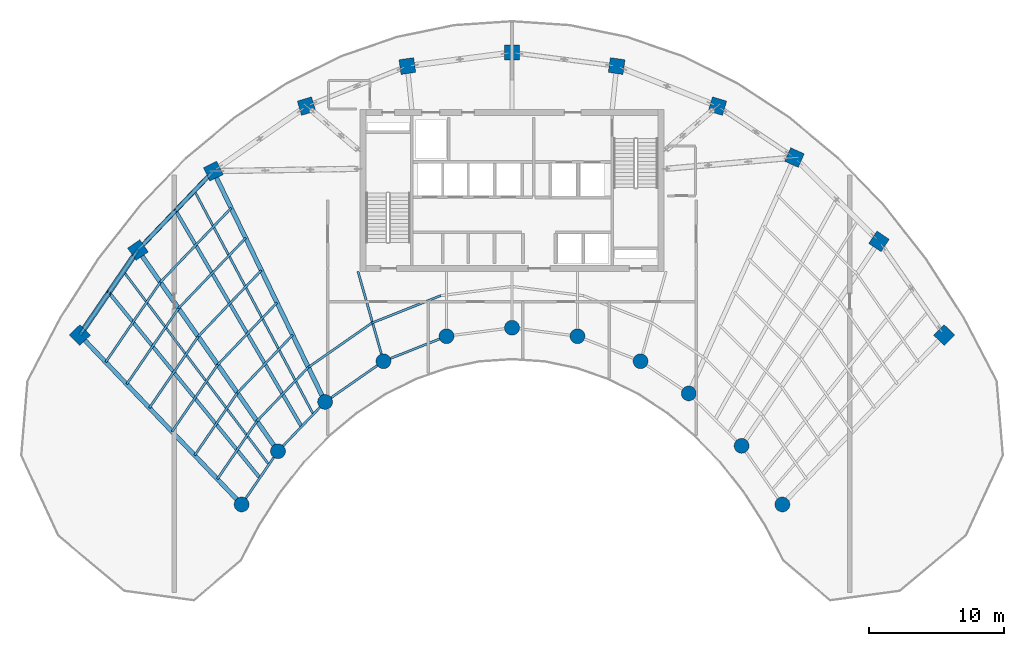
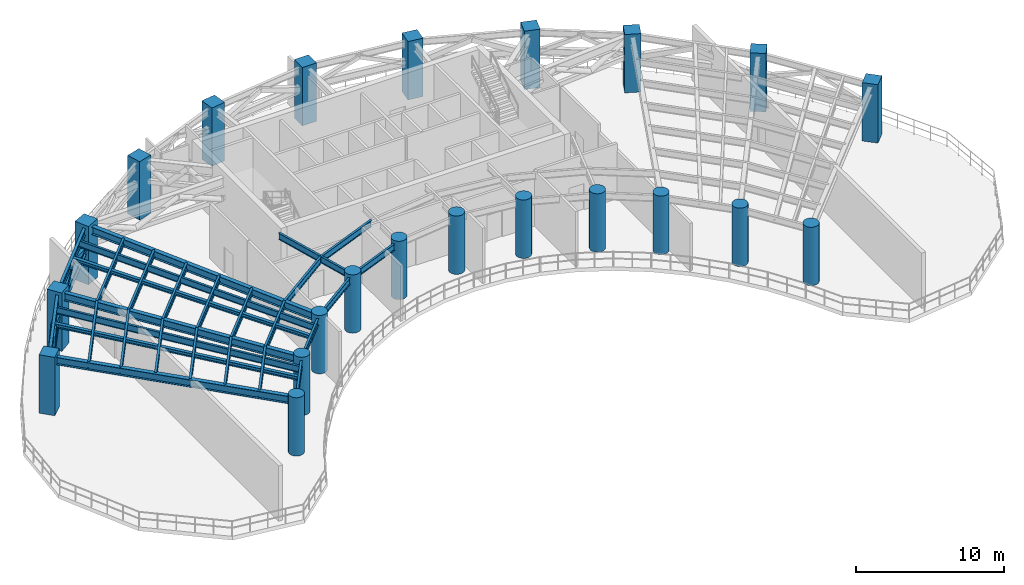
# One storey, part 1 of 19: 30 beams, 22 columns, 4 members.
"""IFC4 building model written with IfcOpenShell, lengths in metres."""

from ifc_helpers import new_model, si_unit, direction, frame, origin, origin_2d, place, context, subcontext, project, spatial, rectangle, hollow_rectangle, circle, i_section, extrude, source, transform, mapped, material, material_profile, profile_set, type_object, type_shapes, element, save


model = new_model("IFC4")

# Units and contexts
model_context = context("Model", 3, precision=1e-05, world=origin(), true_north=direction((0.0, 1.0)))
body_context = subcontext(model_context, "Body", "Model", "MODEL_VIEW")
ifc_project = project(units=[si_unit("LENGTHUNIT", "METRE"), si_unit("AREAUNIT", "SQUARE_METRE"), si_unit("VOLUMEUNIT", "CUBIC_METRE"), si_unit("PLANEANGLEUNIT", "RADIAN"), si_unit("MASSUNIT", "GRAM", prefix="KILO")], contexts=[model_context])

# Site, building, storey
site_placement = place(None, origin())
site = spatial("IfcSite", under=ifc_project, at=site_placement, CompositionType="ELEMENT")
building_placement = place(site_placement, origin())
building = spatial("IfcBuilding", under=site, at=building_placement, Name="Breltana Convention Tower", CompositionType="ELEMENT")
storey_placement = place(building_placement, frame((0.0, 0.0, 194.39990234375)))
storey = spatial("IfcBuildingStorey", under=building, at=storey_placement, Name="L47", CompositionType="ELEMENT", Elevation=194.39990234375)

# Columns
ifc_material_1 = material(Name="Concrete C60/75", Category="concrete")
ifc_material_profile_1 = material_profile(ifc_material_1, rectangle(XDim=1.10009765625, YDim=1.10009765625, at=origin_2d()), Name="RC-COL-1100X1100")
ifc_profile_set_1 = profile_set([ifc_material_profile_1], Name="Concrete C60/75")
column_type_1 = type_object("IfcColumnType", Name="COL-RC-1100", PredefinedType="COLUMN", material=ifc_profile_set_1)
shared_shape_1 = source(origin(), body_context, "Body", "SweptSolid", [
    extrude(rectangle(XDim=1.10009765625, YDim=1.10009765625, at=origin_2d()), origin(), (0.0, 0.0, 1.0), 4.800048828125),
])
for number, where, z_axis, x_axis, name in (
    (1, (16.0068359375, 55.494384765625, 0.0), (0.0, 0.0, 1.0), (-0.690756218984, 0.723087716626, 0.0), "L47 Tower Column R01-OUT"),
    (2, (20.310791015625, 61.78857421875, 0.0), (0.0, 0.0, 1.0), (-0.571143442153, 0.820850271661, 0.0), "L47 Tower Column R02-OUT"),
    (3, (25.8876953125, 67.626953125, 0.0), (0.0, 0.0, 1.0), (-0.436173672171, 0.899862504889, 0.0), "L47 Tower Column R03-OUT"),
    (4, (32.791015625, 72.4423828125, 0.0), (0.0, 0.0, 1.0), (-0.288697611798, 0.957420330337, 0.0), "L47 Tower Column R04-OUT"),
    (5, (40.253173828125, 75.404296875, 0.0), (0.0, 0.0, 1.0), (-0.143492621991, 0.98965138682, 0.0), "L47 Tower Column R05-OUT"),
    (6, (48.0, 76.404052734375, 0.0), (0.0, 0.0, 1.0), (0.0, 1.0, 0.0), "L47 Tower Column R06-OUT"),
    (7, (55.746826171875, 75.404296875, 0.0), (0.0, 0.0, 1.0), (0.143492621991, 0.98965138682, 0.0), "L47 Tower Column R07-OUT"),
    (8, (63.208984375, 72.4423828125, 0.0), (0.0, 0.0, 1.0), (0.288697611798, 0.957420330337, 0.0), "L47 Tower Column R08-OUT"),
    (9, (68.910400390625, 68.63330078125, 0.0), (0.0, 0.0, 1.0), (0.409126902895, 0.912477494148, 0.0), "L47 Tower Column R09-OUT"),
    (10, (75.166748046875, 62.43017578125, 0.0), (0.0, 0.0, 1.0), (0.55774510898, 0.830012285095, 0.0), "L47 Tower Column R10-OUT"),
    (11, (79.9931640625, 55.494384765625, 0.0), (0.0, 0.0, 1.0), (0.690756218984, 0.723087716626, 0.0), "L47 Tower Column R11-OUT"),
):
    element("IfcColumn", number, at=place(storey_placement, frame(where, z_axis=z_axis, x_axis=x_axis)), inside=storey, type_object=column_type_1, Name=name, PredefinedType="COLUMN", context=body_context, shape_type="MappedRepresentation", body=[
        mapped(shared_shape_1, transform((0.0, 0.0, 0.0), scale=1.0)),
    ])
ifc_material_2 = material(Name="Concrete C50/60", Category="concrete")
ifc_material_profile_2 = material_profile(ifc_material_2, circle(Radius=0.550048828125, at=origin_2d()), Name="RC-COL-D1100")
ifc_profile_set_2 = profile_set([ifc_material_profile_2], Name="Concrete C50/60")
column_type_2 = type_object("IfcColumnType", Name="COL-RC-D1100", PredefinedType="COLUMN", material=ifc_profile_set_2)
shared_shape_2 = source(origin(), body_context, "Body", "SweptSolid", [
    extrude(circle(Radius=0.550048828125, at=origin_2d()), origin(), (0.0, 0.0, 1.0), 4.800048828125),
])
for number, where, z_axis, x_axis, name in (
    (12, (27.984619140625, 42.95458984375, 0.0), (0.0, 0.0, 1.0), (-0.690756218984, 0.723087716626, 0.0), "L47 Tower Column R01-IN"),
    (13, (30.67724609375, 46.892333984375, 0.0), (0.0, 0.0, 1.0), (-0.571143442153, 0.820850271661, 0.0), "L47 Tower Column R02-IN"),
    (14, (34.166259765625, 50.544921875, 0.0), (0.0, 0.0, 1.0), (-0.436173672171, 0.899862504889, 0.0), "L47 Tower Column R03-IN"),
    (15, (38.485107421875, 53.5576171875, 0.0), (0.0, 0.0, 1.0), (-0.288697611798, 0.957420330337, 0.0), "L47 Tower Column R04-IN"),
    (16, (43.153564453125, 55.41064453125, 0.0), (0.0, 0.0, 1.0), (-0.143492621991, 0.98965138682, 0.0), "L47 Tower Column R05-IN"),
    (17, (48.0, 56.035888671875, 0.0), (0.0, 0.0, 1.0), (0.0, 1.0, 0.0), "L47 Tower Column R06-IN"),
    (18, (52.846435546875, 55.41064453125, 0.0), (0.0, 0.0, 1.0), (0.143492621991, 0.98965138682, 0.0), "L47 Tower Column R07-IN"),
    (19, (57.514892578125, 53.5576171875, 0.0), (0.0, 0.0, 1.0), (0.288697611798, 0.957420330337, 0.0), "L47 Tower Column R08-IN"),
    (20, (61.08203125, 51.174560546875, 0.0), (0.0, 0.0, 1.0), (0.409126902895, 0.912477494148, 0.0), "L47 Tower Column R09-IN"),
    (21, (64.995849609375, 47.293701171875, 0.0), (0.0, 0.0, 1.0), (0.55774510898, 0.830012285095, 0.0), "L47 Tower Column R10-IN"),
    (22, (68.015380859375, 42.95458984375, 0.0), (0.0, 0.0, 1.0), (0.690756218984, 0.723087716626, 0.0), "L47 Tower Column R11-IN"),
):
    element("IfcColumn", number, at=place(storey_placement, frame(where, z_axis=z_axis, x_axis=x_axis)), inside=storey, type_object=column_type_2, Name=name, PredefinedType="COLUMN", context=body_context, shape_type="MappedRepresentation", body=[
        mapped(shared_shape_2, transform((0.0, 0.0, 0.0), scale=1.0)),
    ])

# Beams
ifc_material_3 = material(Name="Steel ASTM A992 Grade 50", Category="steel")
ifc_material_profile_3 = material_profile(ifc_material_3, i_section(OverallWidth=0.323974609375, OverallDepth=0.611083984375, WebThickness=0.0126953125, FlangeThickness=0.01904296875, at=origin_2d()), Name="W24X104")
ifc_profile_set_3 = profile_set([ifc_material_profile_3], Name="Steel ASTM A992 Grade 50")
beam_type_1 = type_object("IfcBeamType", Name="BM-SP-W24X104", PredefinedType="SPANDREL", material=ifc_profile_set_3)
shared_shape_3 = source(origin(), body_context, "Body", "SweptSolid", [
    extrude(i_section(OverallWidth=0.323974609375, OverallDepth=0.611083984375, WebThickness=0.0126953125, FlangeThickness=0.01904296875, at=origin_2d()), origin(), (0.0, 0.0, 1.0), 7.625),
])
type_shapes(beam_type_1, [shared_shape_3])
beam_1_placement = place(storey_placement, frame((16.0068359375, 55.494384765625, 2.75), z_axis=(0.564452031902, 0.825465870694, 0.0), x_axis=(-0.825465870694, 0.564452031902, 0.0)))
element("IfcBeam", 23, at=beam_1_placement, inside=storey, type_object=beam_type_1, Name="L47 Perimeter Belt Truss Sill Chord 01", PredefinedType="SPANDREL", context=body_context, shape_type="MappedRepresentation", body=[
    mapped(shared_shape_3, transform((0.0, 0.0, 0.0), scale=1.0)),
])
shared_shape_4 = source(origin(), body_context, "Body", "SweptSolid", [
    extrude(i_section(OverallWidth=0.323974609375, OverallDepth=0.611083984375, WebThickness=0.0126953125, FlangeThickness=0.01904296875, at=origin_2d()), origin(), (0.0, 0.0, 1.0), 8.073974609375),
])
beam_2_placement = place(storey_placement, frame((20.310791015625, 61.78857421875, 2.75), z_axis=(0.69072885448, 0.723113856588, 0.0), x_axis=(-0.723113856588, 0.69072885448, 0.0)))
element("IfcBeam", 24, at=beam_2_placement, inside=storey, type_object=beam_type_1, Name="L47 Perimeter Belt Truss Sill Chord 02", PredefinedType="SPANDREL", context=body_context, shape_type="MappedRepresentation", body=[
    mapped(shared_shape_4, transform((0.0, 0.0, 0.0), scale=1.0)),
])

# Members
ifc_material_4 = material(Name="Steel EN 10210 S355J2H", Category="steel")
ifc_material_profile_4 = material_profile(ifc_material_4, hollow_rectangle(XDim=0.39990234375, YDim=0.39990234375, WallThickness=0.01611328125, at=origin_2d()), Name="RHS400X400X16")
ifc_profile_set_4 = profile_set([ifc_material_profile_4], Name="Steel EN 10210 S355J2H")
member_type_1 = type_object("IfcMemberType", Name="MB-BR-RHS400X400X16", PredefinedType="BRACE", material=ifc_profile_set_4)
shared_shape_5 = source(origin(), body_context, "Body", "SweptSolid", [
    extrude(hollow_rectangle(XDim=0.39990234375, YDim=0.39990234375, WallThickness=0.01611328125, at=origin_2d()), origin(), (0.0, 0.0, 1.0), 3.5517578125),
])
for number, where, z_axis, x_axis, name in (
    (25, (16.3173828125, 55.948486328125, 2.75), (0.518507042663, 0.758272728041, 0.395187191869), (-0.825465080883, 0.564453186937, 0.0), "L47 Perimeter Belt Truss Brace 01A"),
    (26, (18.158935546875, 58.6416015625, 4.153564453125), (0.518507042663, 0.758272728041, -0.395187191869), (-0.825465080883, 0.564453186937, 0.0), "L47 Perimeter Belt Truss Brace 01B"),
):
    element("IfcMember", number, at=place(storey_placement, frame(where, z_axis=z_axis, x_axis=x_axis)), inside=storey, type_object=member_type_1, Name=name, PredefinedType="BRACE", context=body_context, shape_type="MappedRepresentation", body=[
        mapped(shared_shape_5, transform((0.0, 0.0, 0.0), scale=1.0)),
    ])
ifc_material_profile_5 = material_profile(ifc_material_4, hollow_rectangle(XDim=0.300048828125, YDim=0.300048828125, WallThickness=0.011962890625, at=origin_2d()), Name="RHS300X300X12")
ifc_profile_set_5 = profile_set([ifc_material_profile_5], Name="Steel EN 10210 S355J2H")
member_type_2 = type_object("IfcMemberType", Name="MB-BR-RHS300X300X12", PredefinedType="BRACE", material=ifc_profile_set_5)
shared_shape_6 = source(origin(), body_context, "Body", "SweptSolid", [
    extrude(hollow_rectangle(XDim=0.300048828125, YDim=0.300048828125, WallThickness=0.011962890625, at=origin_2d()), origin(), (0.0, 0.0, 1.0), 3.7587890625),
])
for number, where, z_axis, x_axis, name in (
    (27, (20.69091796875, 62.186279296875, 2.75), (0.640750852485, 0.670823599033, 0.373408682305), (-0.723129787631, 0.690712176121, 0.0), "L47 Perimeter Belt Truss Brace 02A"),
    (28, (23.099365234375, 64.707763671875, 4.153564453125), (0.640750852485, 0.670823599033, -0.373408682305), (-0.723129787631, 0.690712176121, 0.0), "L47 Perimeter Belt Truss Brace 02B"),
):
    element("IfcMember", number, at=place(storey_placement, frame(where, z_axis=z_axis, x_axis=x_axis)), inside=storey, type_object=member_type_2, Name=name, PredefinedType="BRACE", context=body_context, shape_type="MappedRepresentation", body=[
        mapped(shared_shape_6, transform((0.0, 0.0, 0.0), scale=1.0)),
    ])

# Beams
ifc_material_profile_6 = material_profile(ifc_material_3, i_section(OverallWidth=0.25390625, OverallDepth=0.305908203125, WebThickness=0.0087890625, FlangeThickness=0.0146484375, at=origin_2d()), Name="W12X53")
ifc_profile_set_6 = profile_set([ifc_material_profile_6], Name="Steel ASTM A992 Grade 50")
beam_type_2 = type_object("IfcBeamType", Name="BM-JSG-10", PredefinedType="JOIST", material=ifc_profile_set_6)
shared_shape_7 = source(origin(), body_context, "Body", "SweptSolid", [
    extrude(i_section(OverallWidth=0.25390625, OverallDepth=0.305908203125, WebThickness=0.0087890625, FlangeThickness=0.0146484375, at=origin_2d()), origin(), (0.0, 0.0, 1.0), 17.691650390625),
])
type_shapes(beam_type_2, [shared_shape_7])
beam_3_placement = place(storey_placement, frame((29.330810546875, 44.923583984375, 4.38720703125), z_axis=(-0.631476958478, 0.775394642044, 0.0), x_axis=(-0.775394642044, -0.631476958478, 0.0)))
element("IfcBeam", 29, at=beam_3_placement, inside=storey, type_object=beam_type_2, Name="L47 Mid-Bay Radial Trimmer 01", PredefinedType="JOIST", context=body_context, shape_type="MappedRepresentation", body=[
    mapped(shared_shape_7, transform((0.0, 0.0, 0.0), scale=1.0)),
])
ifc_material_profile_7 = material_profile(ifc_material_3, i_section(OverallWidth=0.166015625, OverallDepth=0.534912109375, WebThickness=0.01025390625, FlangeThickness=0.0166015625, at=origin_2d()), Name="W21X57")
ifc_profile_set_7 = profile_set([ifc_material_profile_7], Name="Steel ASTM A992 Grade 50")
beam_type_3 = type_object("IfcBeamType", Name="BM-JSG-05", PredefinedType="JOIST", material=ifc_profile_set_7)
shared_shape_8 = source(origin(), body_context, "Body", "SweptSolid", [
    extrude(i_section(OverallWidth=0.166015625, OverallDepth=0.534912109375, WebThickness=0.01025390625, FlangeThickness=0.0166015625, at=origin_2d()), origin(), (0.0, 0.0, 1.0), 17.9072265625),
])
beam_4_placement = place(storey_placement, frame((30.00390625, 45.907958984375, 4.272705078125), z_axis=(-0.601382105028, 0.798961553363, 0.0), x_axis=(-0.798961553363, -0.601382105028, 0.0)))
element("IfcBeam", 30, at=beam_4_placement, inside=storey, type_object=beam_type_3, Name="L47 Quarter-Bay Radial Trimmer 01", PredefinedType="JOIST", context=body_context, shape_type="MappedRepresentation", body=[
    mapped(shared_shape_8, transform((0.0, 0.0, 0.0), scale=1.0)),
])
shared_shape_9 = source(origin(), body_context, "Body", "SweptSolid", [
    extrude(i_section(OverallWidth=0.25390625, OverallDepth=0.305908203125, WebThickness=0.0087890625, FlangeThickness=0.0146484375, at=origin_2d()), origin(), (0.0, 0.0, 1.0), 18.50830078125),
])
beam_5_placement = place(storey_placement, frame((32.421630859375, 48.71875, 4.38720703125), z_axis=(-0.50368319637, 0.863888440537, 0.0), x_axis=(-0.863888440537, -0.50368319637, 0.0)))
element("IfcBeam", 31, at=beam_5_placement, inside=storey, type_object=beam_type_2, Name="L47 Mid-Bay Radial Trimmer 02", PredefinedType="JOIST", context=body_context, shape_type="MappedRepresentation", body=[
    mapped(shared_shape_9, transform((0.0, 0.0, 0.0), scale=1.0)),
])
shared_shape_10 = source(origin(), body_context, "Body", "SweptSolid", [
    extrude(i_section(OverallWidth=0.166015625, OverallDepth=0.534912109375, WebThickness=0.01025390625, FlangeThickness=0.0166015625, at=origin_2d()), origin(), (0.0, 0.0, 1.0), 18.731689453125),
])
beam_6_placement = place(storey_placement, frame((33.2939453125, 49.6318359375, 4.272705078125), z_axis=(-0.469820250451, 0.882762104004, 0.0), x_axis=(-0.882762104004, -0.469820250451, 0.0)))
element("IfcBeam", 32, at=beam_6_placement, inside=storey, type_object=beam_type_3, Name="L47 Quarter-Bay Radial Trimmer 02", PredefinedType="JOIST", context=body_context, shape_type="MappedRepresentation", body=[
    mapped(shared_shape_10, transform((0.0, 0.0, 0.0), scale=1.0)),
])
ifc_material_profile_8 = material_profile(ifc_material_3, i_section(OverallWidth=0.166015625, OverallDepth=0.534912109375, WebThickness=0.01025390625, FlangeThickness=0.0166015625, at=origin_2d()), Name="W21X57")
ifc_profile_set_8 = profile_set([ifc_material_profile_8], Name="Steel ASTM A992 Grade 50")
beam_type_4 = type_object("IfcBeamType", Name="BM-BM-W21X57", PredefinedType="BEAM", material=ifc_profile_set_8)
shared_shape_11 = source(origin(), body_context, "Body", "SweptSolid", [
    extrude(i_section(OverallWidth=0.166015625, OverallDepth=0.534912109375, WebThickness=0.01025390625, FlangeThickness=0.0166015625, at=origin_2d()), origin(), (0.0, 0.0, 1.0), 6.904541015625),
])
type_shapes(beam_type_4, [shared_shape_11])
beam_7_placement = place(storey_placement, frame((36.60009765625, 60.199951171875, 4.272705078125), z_axis=(0.273006781054, -0.962012108811, 0.0), x_axis=(0.962012108811, 0.273006781054, 0.0)))
element("IfcBeam", 33, at=beam_7_placement, inside=storey, type_object=beam_type_4, Name="L47 South Core Tie Girder R04", PredefinedType="BEAM", context=body_context, shape_type="MappedRepresentation", body=[
    mapped(shared_shape_11, transform((0.0, 0.0, 0.0), scale=1.0)),
])
shared_shape_12 = source(origin(), body_context, "Body", "SweptSolid", [
    extrude(i_section(OverallWidth=0.166015625, OverallDepth=0.534912109375, WebThickness=0.01025390625, FlangeThickness=0.0166015625, at=origin_2d()), origin(), (0.0, 0.0, 1.0), 4.770263671875),
])
beam_8_placement = place(storey_placement, frame((27.984619140625, 42.95458984375, 4.272705078125), z_axis=(0.564452719055, 0.82546540082, 0.0), x_axis=(-0.82546540082, 0.564452719055, 0.0)))
element("IfcBeam", 34, at=beam_8_placement, inside=storey, type_object=beam_type_4, Name="L47 Inner Ring Beam 01", PredefinedType="BEAM", context=body_context, shape_type="MappedRepresentation", body=[
    mapped(shared_shape_12, transform((0.0, 0.0, 0.0), scale=1.0)),
])
shared_shape_13 = source(origin(), body_context, "Body", "SweptSolid", [
    extrude(i_section(OverallWidth=0.166015625, OverallDepth=0.534912109375, WebThickness=0.01025390625, FlangeThickness=0.0166015625, at=origin_2d()), origin(), (0.0, 0.0, 1.0), 5.05126953125),
])
beam_9_placement = place(storey_placement, frame((30.67724609375, 46.892333984375, 4.272705078125), z_axis=(0.690729753845, 0.7231129975, 0.0), x_axis=(-0.7231129975, 0.690729753845, 0.0)))
element("IfcBeam", 35, at=beam_9_placement, inside=storey, type_object=beam_type_4, Name="L47 Inner Ring Beam 02", PredefinedType="BEAM", context=body_context, shape_type="MappedRepresentation", body=[
    mapped(shared_shape_13, transform((0.0, 0.0, 0.0), scale=1.0)),
])
shared_shape_14 = source(origin(), body_context, "Body", "SweptSolid", [
    extrude(i_section(OverallWidth=0.166015625, OverallDepth=0.534912109375, WebThickness=0.01025390625, FlangeThickness=0.0166015625, at=origin_2d()), origin(), (0.0, 0.0, 1.0), 5.265869140625),
])
beam_10_placement = place(storey_placement, frame((34.166259765625, 50.544921875, 4.272705078125), z_axis=(0.820167429517, 0.572123577176, 0.0), x_axis=(-0.572123577176, 0.820167429517, 0.0)))
element("IfcBeam", 36, at=beam_10_placement, inside=storey, type_object=beam_type_4, Name="L47 Inner Ring Beam 03", PredefinedType="BEAM", context=body_context, shape_type="MappedRepresentation", body=[
    mapped(shared_shape_14, transform((0.0, 0.0, 0.0), scale=1.0)),
])
shared_shape_15 = source(origin(), body_context, "Body", "SweptSolid", [
    extrude(i_section(OverallWidth=0.166015625, OverallDepth=0.534912109375, WebThickness=0.01025390625, FlangeThickness=0.0166015625, at=origin_2d()), origin(), (0.0, 0.0, 1.0), 5.022705078125),
])
beam_11_placement = place(storey_placement, frame((38.485107421875, 53.5576171875, 4.272705078125), z_axis=(0.929458966248, 0.368925507469, 0.0), x_axis=(-0.368925507469, 0.929458966248, 0.0)))
element("IfcBeam", 37, at=beam_11_placement, inside=storey, type_object=beam_type_4, Name="L47 Inner Ring Beam 04", PredefinedType="BEAM", context=body_context, shape_type="MappedRepresentation", body=[
    mapped(shared_shape_15, transform((0.0, 0.0, 0.0), scale=1.0)),
])
shared_shape_16 = source(origin(), body_context, "Body", "SweptSolid", [
    extrude(i_section(OverallWidth=0.166015625, OverallDepth=0.534912109375, WebThickness=0.01025390625, FlangeThickness=0.0166015625, at=origin_2d()), origin(), (0.0, 0.0, 1.0), 5.198486328125),
])
beam_12_placement = place(storey_placement, frame((26.187744140625, 44.835693359375, 4.272705078125), z_axis=(0.564502073134, 0.825431650367, 0.0), x_axis=(-0.825431650367, 0.564502073134, 0.0)))
element("IfcBeam", 38, at=beam_12_placement, inside=storey, type_object=beam_type_3, Name="L47 Composite Floor Joist 01.1", PredefinedType="JOIST", context=body_context, shape_type="MappedRepresentation", body=[
    mapped(shared_shape_16, transform((0.0, 0.0, 0.0), scale=1.0)),
])
shared_shape_17 = source(origin(), body_context, "Body", "SweptSolid", [
    extrude(i_section(OverallWidth=0.166015625, OverallDepth=0.534912109375, WebThickness=0.01025390625, FlangeThickness=0.0166015625, at=origin_2d()), origin(), (0.0, 0.0, 1.0), 5.59814453125),
])
beam_13_placement = place(storey_placement, frame((24.510986328125, 46.59130859375, 4.272705078125), z_axis=(0.564454073219, 0.825464474842, 0.0), x_axis=(-0.825464474842, 0.564454073219, 0.0)))
element("IfcBeam", 39, at=beam_13_placement, inside=storey, type_object=beam_type_3, Name="L47 Composite Floor Joist 01.2", PredefinedType="JOIST", context=body_context, shape_type="MappedRepresentation", body=[
    mapped(shared_shape_17, transform((0.0, 0.0, 0.0), scale=1.0)),
])
shared_shape_18 = source(origin(), body_context, "Body", "SweptSolid", [
    extrude(i_section(OverallWidth=0.166015625, OverallDepth=0.534912109375, WebThickness=0.01025390625, FlangeThickness=0.0166015625, at=origin_2d()), origin(), (0.0, 0.0, 1.0), 5.998046875),
])
beam_14_placement = place(storey_placement, frame((22.833984375, 48.3466796875, 4.272705078125), z_axis=(0.564467940449, 0.825454992235, 0.0), x_axis=(-0.825454992235, 0.564467940449, 0.0)))
element("IfcBeam", 40, at=beam_14_placement, inside=storey, type_object=beam_type_3, Name="L47 Composite Floor Joist 01.3", PredefinedType="JOIST", context=body_context, shape_type="MappedRepresentation", body=[
    mapped(shared_shape_18, transform((0.0, 0.0, 0.0), scale=1.0)),
])
shared_shape_19 = source(origin(), body_context, "Body", "SweptSolid", [
    extrude(i_section(OverallWidth=0.166015625, OverallDepth=0.534912109375, WebThickness=0.01025390625, FlangeThickness=0.0166015625, at=origin_2d()), origin(), (0.0, 0.0, 1.0), 6.3974609375),
])
beam_15_placement = place(storey_placement, frame((21.1572265625, 50.102294921875, 4.272705078125), z_axis=(0.564445851125, 0.825470097065, 0.0), x_axis=(-0.825470097065, 0.564445851125, 0.0)))
element("IfcBeam", 41, at=beam_15_placement, inside=storey, type_object=beam_type_3, Name="L47 Composite Floor Joist 01.4", PredefinedType="JOIST", context=body_context, shape_type="MappedRepresentation", body=[
    mapped(shared_shape_19, transform((0.0, 0.0, 0.0), scale=1.0)),
])
shared_shape_20 = source(origin(), body_context, "Body", "SweptSolid", [
    extrude(i_section(OverallWidth=0.166015625, OverallDepth=0.534912109375, WebThickness=0.01025390625, FlangeThickness=0.0166015625, at=origin_2d()), origin(), (0.0, 0.0, 1.0), 6.79736328125),
])
beam_16_placement = place(storey_placement, frame((19.480224609375, 51.85791015625, 4.272705078125), z_axis=(0.564475306504, 0.825449955083, 0.0), x_axis=(-0.825449955083, 0.564475306504, 0.0)))
element("IfcBeam", 42, at=beam_16_placement, inside=storey, type_object=beam_type_3, Name="L47 Composite Floor Joist 01.5", PredefinedType="JOIST", context=body_context, shape_type="MappedRepresentation", body=[
    mapped(shared_shape_20, transform((0.0, 0.0, 0.0), scale=1.0)),
])
shared_shape_21 = source(origin(), body_context, "Body", "SweptSolid", [
    extrude(i_section(OverallWidth=0.166015625, OverallDepth=0.534912109375, WebThickness=0.01025390625, FlangeThickness=0.0166015625, at=origin_2d()), origin(), (0.0, 0.0, 1.0), 7.16845703125),
])
beam_17_placement = place(storey_placement, frame((17.923095703125, 53.488037109375, 4.272705078125), z_axis=(0.564470233585, 0.825453424123, 0.0), x_axis=(-0.825453424123, 0.564470233585, 0.0)))
element("IfcBeam", 43, at=beam_17_placement, inside=storey, type_object=beam_type_3, Name="L47 Composite Floor Joist 01.6", PredefinedType="JOIST", context=body_context, shape_type="MappedRepresentation", body=[
    mapped(shared_shape_21, transform((0.0, 0.0, 0.0), scale=1.0)),
])
shared_shape_22 = source(origin(), body_context, "Body", "SweptSolid", [
    extrude(i_section(OverallWidth=0.166015625, OverallDepth=0.534912109375, WebThickness=0.01025390625, FlangeThickness=0.0166015625, at=origin_2d()), origin(), (0.0, 0.0, 1.0), 5.504638671875),
])
beam_18_placement = place(storey_placement, frame((29.122314453125, 49.126708984375, 4.272705078125), z_axis=(0.690687741728, 0.72315312585, 0.0), x_axis=(-0.72315312585, 0.690687741728, 0.0)))
element("IfcBeam", 44, at=beam_18_placement, inside=storey, type_object=beam_type_3, Name="L47 Composite Floor Joist 02.1", PredefinedType="JOIST", context=body_context, shape_type="MappedRepresentation", body=[
    mapped(shared_shape_22, transform((0.0, 0.0, 0.0), scale=1.0)),
])
shared_shape_23 = source(origin(), body_context, "Body", "SweptSolid", [
    extrude(i_section(OverallWidth=0.166015625, OverallDepth=0.534912109375, WebThickness=0.01025390625, FlangeThickness=0.0166015625, at=origin_2d()), origin(), (0.0, 0.0, 1.0), 5.927734375),
])
beam_19_placement = place(storey_placement, frame((27.6708984375, 51.21240234375, 4.272705078125), z_axis=(0.69073528717, 0.723107711934, 0.0), x_axis=(-0.723107711934, 0.69073528717, 0.0)))
element("IfcBeam", 45, at=beam_19_placement, inside=storey, type_object=beam_type_3, Name="L47 Composite Floor Joist 02.2", PredefinedType="JOIST", context=body_context, shape_type="MappedRepresentation", body=[
    mapped(shared_shape_23, transform((0.0, 0.0, 0.0), scale=1.0)),
])
shared_shape_24 = source(origin(), body_context, "Body", "SweptSolid", [
    extrude(i_section(OverallWidth=0.166015625, OverallDepth=0.534912109375, WebThickness=0.01025390625, FlangeThickness=0.0166015625, at=origin_2d()), origin(), (0.0, 0.0, 1.0), 6.35107421875),
])
beam_20_placement = place(storey_placement, frame((26.2197265625, 53.2978515625, 4.272705078125), z_axis=(0.69071799369, 0.723124230816, 0.0), x_axis=(-0.723124230816, 0.69071799369, 0.0)))
element("IfcBeam", 46, at=beam_20_placement, inside=storey, type_object=beam_type_3, Name="L47 Composite Floor Joist 02.3", PredefinedType="JOIST", context=body_context, shape_type="MappedRepresentation", body=[
    mapped(shared_shape_24, transform((0.0, 0.0, 0.0), scale=1.0)),
])
shared_shape_25 = source(origin(), body_context, "Body", "SweptSolid", [
    extrude(i_section(OverallWidth=0.166015625, OverallDepth=0.534912109375, WebThickness=0.01025390625, FlangeThickness=0.0166015625, at=origin_2d()), origin(), (0.0, 0.0, 1.0), 6.774169921875),
])
beam_21_placement = place(storey_placement, frame((24.768310546875, 55.38330078125, 4.272705078125), z_axis=(0.690739707184, 0.723103489771, 0.0), x_axis=(-0.723103489771, 0.690739707184, 0.0)))
element("IfcBeam", 47, at=beam_21_placement, inside=storey, type_object=beam_type_3, Name="L47 Composite Floor Joist 02.4", PredefinedType="JOIST", context=body_context, shape_type="MappedRepresentation", body=[
    mapped(shared_shape_25, transform((0.0, 0.0, 0.0), scale=1.0)),
])
shared_shape_26 = source(origin(), body_context, "Body", "SweptSolid", [
    extrude(i_section(OverallWidth=0.166015625, OverallDepth=0.534912109375, WebThickness=0.01025390625, FlangeThickness=0.0166015625, at=origin_2d()), origin(), (0.0, 0.0, 1.0), 7.197265625),
])
beam_22_placement = place(storey_placement, frame((23.317138671875, 57.46875, 4.272705078125), z_axis=(0.690741130438, 0.723102130214, 0.0), x_axis=(-0.723102130214, 0.690741130438, 0.0)))
element("IfcBeam", 48, at=beam_22_placement, inside=storey, type_object=beam_type_3, Name="L47 Composite Floor Joist 02.5", PredefinedType="JOIST", context=body_context, shape_type="MappedRepresentation", body=[
    mapped(shared_shape_26, transform((0.0, 0.0, 0.0), scale=1.0)),
])
shared_shape_27 = source(origin(), body_context, "Body", "SweptSolid", [
    extrude(i_section(OverallWidth=0.166015625, OverallDepth=0.534912109375, WebThickness=0.01025390625, FlangeThickness=0.0166015625, at=origin_2d()), origin(), (0.0, 0.0, 1.0), 7.59033203125),
])
beam_23_placement = place(storey_placement, frame((21.969482421875, 59.4052734375, 4.272705078125), z_axis=(0.690742686271, 0.723100644007, 0.0), x_axis=(-0.723100644007, 0.690742686271, 0.0)))
element("IfcBeam", 49, at=beam_23_placement, inside=storey, type_object=beam_type_3, Name="L47 Composite Floor Joist 02.6", PredefinedType="JOIST", context=body_context, shape_type="MappedRepresentation", body=[
    mapped(shared_shape_27, transform((0.0, 0.0, 0.0), scale=1.0)),
])
shared_shape_28 = source(origin(), body_context, "Body", "SweptSolid", [
    extrude(i_section(OverallWidth=0.166015625, OverallDepth=0.534912109375, WebThickness=0.01025390625, FlangeThickness=0.0166015625, at=origin_2d()), origin(), (0.0, 0.0, 1.0), 5.738525390625),
])
beam_24_placement = place(storey_placement, frame((32.92431640625, 53.107421875, 4.272705078125), z_axis=(0.820182201694, 0.572102399947, 0.0), x_axis=(-0.572102399947, 0.820182201694, 0.0)))
element("IfcBeam", 50, at=beam_24_placement, inside=storey, type_object=beam_type_3, Name="L47 Composite Floor Joist 03.1", PredefinedType="JOIST", context=body_context, shape_type="MappedRepresentation", body=[
    mapped(shared_shape_28, transform((0.0, 0.0, 0.0), scale=1.0)),
])
shared_shape_29 = source(origin(), body_context, "Body", "SweptSolid", [
    extrude(i_section(OverallWidth=0.166015625, OverallDepth=0.534912109375, WebThickness=0.01025390625, FlangeThickness=0.0166015625, at=origin_2d()), origin(), (0.0, 0.0, 1.0), 5.473876953125),
])
beam_25_placement = place(storey_placement, frame((37.630859375, 56.390380859375, 4.272705078125), z_axis=(0.92945162863, 0.368943993091, 0.0), x_axis=(-0.368943993091, 0.92945162863, 0.0)))
element("IfcBeam", 51, at=beam_25_placement, inside=storey, type_object=beam_type_3, Name="L47 Composite Floor Joist 04.1", PredefinedType="JOIST", context=body_context, shape_type="MappedRepresentation", body=[
    mapped(shared_shape_29, transform((0.0, 0.0, 0.0), scale=1.0)),
])
ifc_material_profile_9 = material_profile(ifc_material_3, i_section(OverallWidth=0.326904296875, OverallDepth=0.6220703125, WebThickness=0.015380859375, FlangeThickness=0.0244140625, at=origin_2d()), Name="W24X131")
ifc_profile_set_9 = profile_set([ifc_material_profile_9], Name="Steel ASTM A992 Grade 50")
beam_type_5 = type_object("IfcBeamType", Name="BM-RG-W24X131", PredefinedType="USERDEFINED", material=ifc_profile_set_9)
shared_shape_30 = source(origin(), body_context, "Body", "SweptSolid", [
    extrude(i_section(OverallWidth=0.326904296875, OverallDepth=0.6220703125, WebThickness=0.015380859375, FlangeThickness=0.0244140625, at=origin_2d()), origin(), (0.0, 0.0, 1.0), 17.341064453125),
])
type_shapes(beam_type_5, [shared_shape_30])
beam_26_placement = place(storey_placement, frame((27.984619140625, 42.95458984375, 4.22900390625), z_axis=(-0.690716462293, 0.723125693581, 0.0), x_axis=(-0.723125693581, -0.690716462293, 0.0)))
element("IfcBeam", 52, at=beam_26_placement, inside=storey, type_object=beam_type_5, Name="L47 Radial Floor Girder R01", ObjectType="GIRDER", PredefinedType="USERDEFINED", context=body_context, shape_type="MappedRepresentation", body=[
    mapped(shared_shape_30, transform((0.0, 0.0, 0.0), scale=1.0)),
])
shared_shape_31 = source(origin(), body_context, "Body", "SweptSolid", [
    extrude(i_section(OverallWidth=0.326904296875, OverallDepth=0.6220703125, WebThickness=0.015380859375, FlangeThickness=0.0244140625, at=origin_2d()), origin(), (0.0, 0.0, 1.0), 18.1484375),
])
beam_27_placement = place(storey_placement, frame((30.67724609375, 46.892333984375, 4.22900390625), z_axis=(-0.571207556098, 0.820805657788, 0.0), x_axis=(-0.820805657788, -0.571207556098, 0.0)))
element("IfcBeam", 53, at=beam_27_placement, inside=storey, type_object=beam_type_5, Name="L47 Radial Floor Girder R02", ObjectType="GIRDER", PredefinedType="USERDEFINED", context=body_context, shape_type="MappedRepresentation", body=[
    mapped(shared_shape_31, transform((0.0, 0.0, 0.0), scale=1.0)),
])
shared_shape_32 = source(origin(), body_context, "Body", "SweptSolid", [
    extrude(i_section(OverallWidth=0.326904296875, OverallDepth=0.6220703125, WebThickness=0.015380859375, FlangeThickness=0.0244140625, at=origin_2d()), origin(), (0.0, 0.0, 1.0), 18.982421875),
])
beam_28_placement = place(storey_placement, frame((34.166259765625, 50.544921875, 4.22900390625), z_axis=(-0.436118560343, 0.89988921614, 0.0), x_axis=(-0.89988921614, -0.436118560343, 0.0)))
element("IfcBeam", 54, at=beam_28_placement, inside=storey, type_object=beam_type_5, Name="L47 Radial Floor Girder R03", ObjectType="GIRDER", PredefinedType="USERDEFINED", context=body_context, shape_type="MappedRepresentation", body=[
    mapped(shared_shape_32, transform((0.0, 0.0, 0.0), scale=1.0)),
])
ifc_material_profile_10 = material_profile(ifc_material_3, i_section(OverallWidth=0.214111328125, OverallDepth=0.549072265625, WebThickness=0.0146484375, FlangeThickness=0.023681640625, at=origin_2d()), Name="W21X93")
ifc_profile_set_10 = profile_set([ifc_material_profile_10], Name="Steel ASTM A992 Grade 50")
beam_type_6 = type_object("IfcBeamType", Name="BM-SP-W21X93", PredefinedType="SPANDREL", material=ifc_profile_set_10)
shared_shape_33 = source(origin(), body_context, "Body", "SweptSolid", [
    extrude(i_section(OverallWidth=0.214111328125, OverallDepth=0.549072265625, WebThickness=0.0146484375, FlangeThickness=0.023681640625, at=origin_2d()), origin(), (0.0, 0.0, 1.0), 7.625),
])
type_shapes(beam_type_6, [shared_shape_33])
beam_29_placement = place(storey_placement, frame((16.0068359375, 55.494384765625, 4.265625), z_axis=(0.564452031902, 0.825465870694, 0.0), x_axis=(-0.825465870694, 0.564452031902, 0.0)))
element("IfcBeam", 55, at=beam_29_placement, inside=storey, type_object=beam_type_6, Name="L47 Outer Spandrel Beam 01", PredefinedType="SPANDREL", context=body_context, shape_type="MappedRepresentation", body=[
    mapped(shared_shape_33, transform((0.0, 0.0, 0.0), scale=1.0)),
])
shared_shape_34 = source(origin(), body_context, "Body", "SweptSolid", [
    extrude(i_section(OverallWidth=0.214111328125, OverallDepth=0.549072265625, WebThickness=0.0146484375, FlangeThickness=0.023681640625, at=origin_2d()), origin(), (0.0, 0.0, 1.0), 8.073974609375),
])
beam_30_placement = place(storey_placement, frame((20.310791015625, 61.78857421875, 4.265625), z_axis=(0.69072885448, 0.723113856588, 0.0), x_axis=(-0.723113856588, 0.69072885448, 0.0)))
element("IfcBeam", 56, at=beam_30_placement, inside=storey, type_object=beam_type_6, Name="L47 Outer Spandrel Beam 02", PredefinedType="SPANDREL", context=body_context, shape_type="MappedRepresentation", body=[
    mapped(shared_shape_34, transform((0.0, 0.0, 0.0), scale=1.0)),
])

save(model, "model.ifc")
